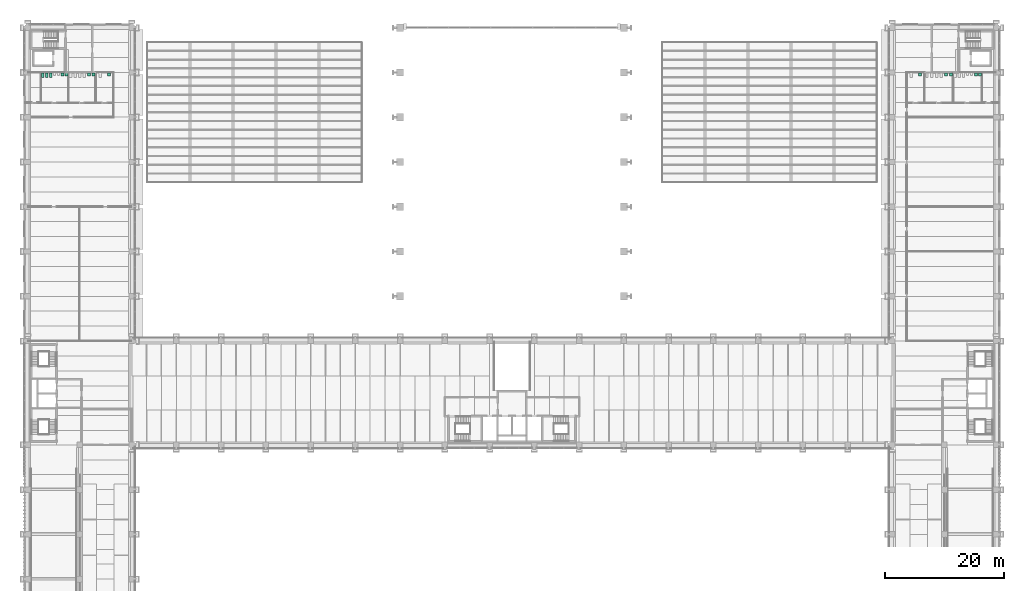
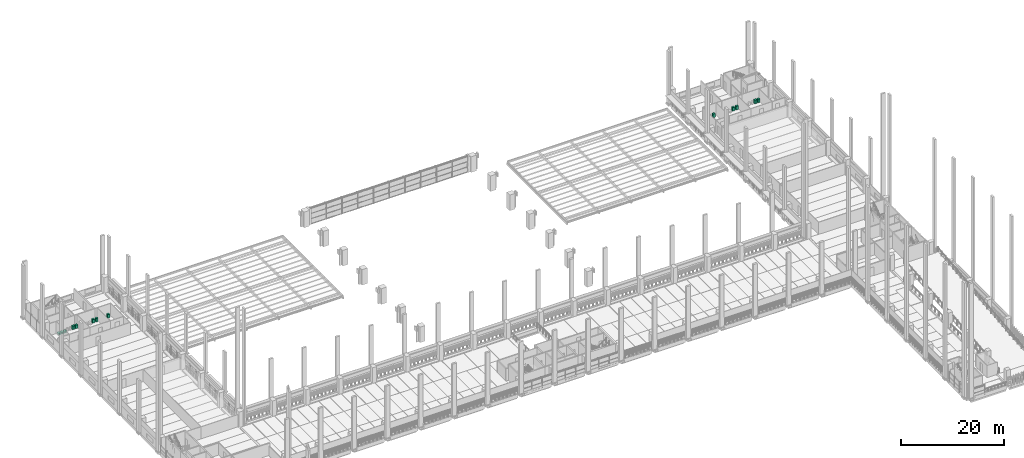
# One storey, part 65 of 67: 13 sanitary terminals.
"""IFC4 building model written with IfcOpenShell, lengths in metres."""

from ifc_helpers import new_model, si_unit, direction, frame, origin, origin_2d, place, context, subcontext, project, spatial, rectangle, extrude, material, type_object, element, save


model = new_model("IFC4")

# Units and contexts
model_context = context("Model", 3, precision=1e-05, world=origin(), true_north=direction((0.0, 1.0)))
body_context = subcontext(model_context, "Body", "Model", "MODEL_VIEW")
ifc_project = project(units=[si_unit("LENGTHUNIT", "METRE"), si_unit("AREAUNIT", "SQUARE_METRE"), si_unit("VOLUMEUNIT", "CUBIC_METRE"), si_unit("PLANEANGLEUNIT", "RADIAN"), si_unit("MASSUNIT", "GRAM", prefix="KILO")], contexts=[model_context])

# Site, building, storey
site_placement = place(None, origin())
site = spatial("IfcSite", under=ifc_project, at=site_placement, CompositionType="ELEMENT")
building_placement = place(site_placement, origin())
building = spatial("IfcBuilding", under=site, at=building_placement, Name="Cour d'Honneur Mobility Palace", CompositionType="ELEMENT")
storey_placement = place(building_placement, frame((0.0, 0.0, 4.5)))
storey = spatial("IfcBuildingStorey", under=building, at=storey_placement, Name="L01", CompositionType="ELEMENT", Elevation=4.5)

# Sanitary terminals
ifc_material_1 = material(Name="Vitreous china")
sanitary_terminal_type_1 = type_object("IfcSanitaryTerminalType", Name="Wash basin", PredefinedType="WASHHANDBASIN", material=ifc_material_1)
for number, where, z_axis, x_axis, name in (
    (1, (5.814208984375, 107.054931640625, 0.0), (0.0, 0.0, 1.0), (1.0, 0.0, 0.0), "Wash basin WC Men West"),
    (2, (6.471435546875, 107.054931640625, 0.0), (0.0, 0.0, 1.0), (1.0, 0.0, 0.0), "Wash basin WC Men West"),
    (3, (10.25, 107.054931640625, 0.0), (0.0, 0.0, 1.0), (1.0, 0.0, 0.0), "Wash basin WC Women West"),
    (4, (11.0166015625, 107.054931640625, 0.0), (0.0, 0.0, 1.0), (1.0, 0.0, 0.0), "Wash basin WC Women West"),
    (5, (13.64990234375, 107.054931640625, 0.0), (0.0, 0.0, 1.0), (1.0, 0.0, 0.0), "Wash basin Accessible WC West"),
    (6, (158.871337890625, 107.054931640625, 0.0), (0.0, 0.0, 1.0), (1.0, 0.0, 0.0), "Wash basin WC Men East"),
    (7, (159.55712890625, 107.054931640625, 0.0), (0.0, 0.0, 1.0), (1.0, 0.0, 0.0), "Wash basin WC Men East"),
    (8, (153.89990234375, 107.054931640625, 0.0), (0.0, 0.0, 1.0), (1.0, 0.0, 0.0), "Wash basin WC Women East"),
    (9, (154.699951171875, 107.054931640625, 0.0), (0.0, 0.0, 1.0), (1.0, 0.0, 0.0), "Wash basin WC Women East"),
    (10, (149.550048828125, 107.054931640625, 0.0), (0.0, 0.0, 1.0), (1.0, 0.0, 0.0), "Wash basin Accessible WC East"),
):
    element("IfcSanitaryTerminal", number, at=place(storey_placement, frame(where, z_axis=z_axis, x_axis=x_axis)), inside=storey, type_object=sanitary_terminal_type_1, Name=name, PredefinedType="WASHHANDBASIN", context=body_context, shape_type="SweptSolid", body=[
        extrude(rectangle(XDim=0.5, YDim=0.449951171875, at=origin_2d()), origin(), (0.0, 0.0, 1.0), 0.85009765625),
    ])
ifc_material_2 = material(Name="Vitreous china")
sanitary_terminal_type_2 = type_object("IfcSanitaryTerminalType", Name="Water closet", PredefinedType="WCSEAT", material=ifc_material_2)
for number, where, z_axis, x_axis, name in (
    (11, (2.528564453125, 106.929931640625, 0.0), (0.0, 0.0, 1.0), (1.0, 0.0, 0.0), "Water closet WC Men West"),
    (12, (3.185791015625, 106.929931640625, 0.0), (0.0, 0.0, 1.0), (1.0, 0.0, 0.0), "Water closet WC Men West"),
    (13, (3.843017578125, 106.929931640625, 0.0), (0.0, 0.0, 1.0), (1.0, 0.0, 0.0), "Water closet WC Men West"),
):
    element("IfcSanitaryTerminal", number, at=place(storey_placement, frame(where, z_axis=z_axis, x_axis=x_axis)), inside=storey, type_object=sanitary_terminal_type_2, Name=name, PredefinedType="WCSEAT", context=body_context, shape_type="SweptSolid", body=[
        extrude(rectangle(XDim=0.39990234375, YDim=0.699951171875, at=origin_2d()), origin(), (0.0, 0.0, 1.0), 0.39990234375),
    ])

save(model, "model.ifc")
